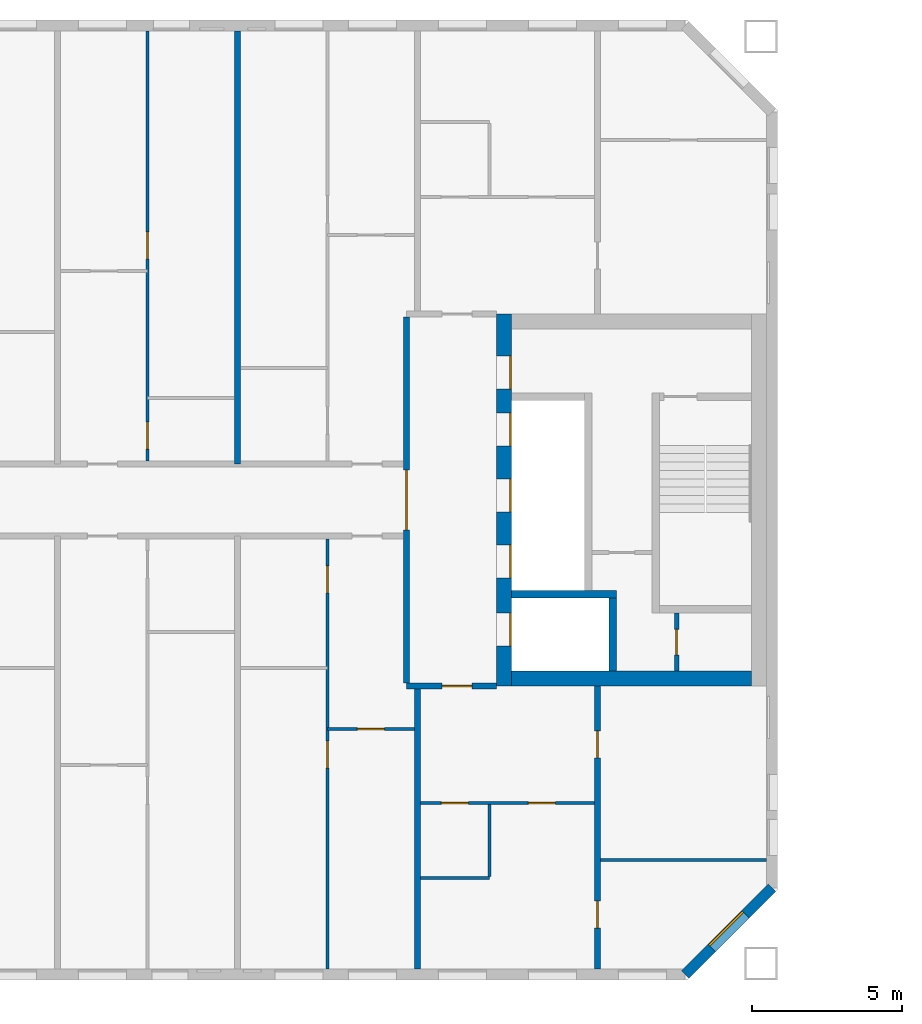
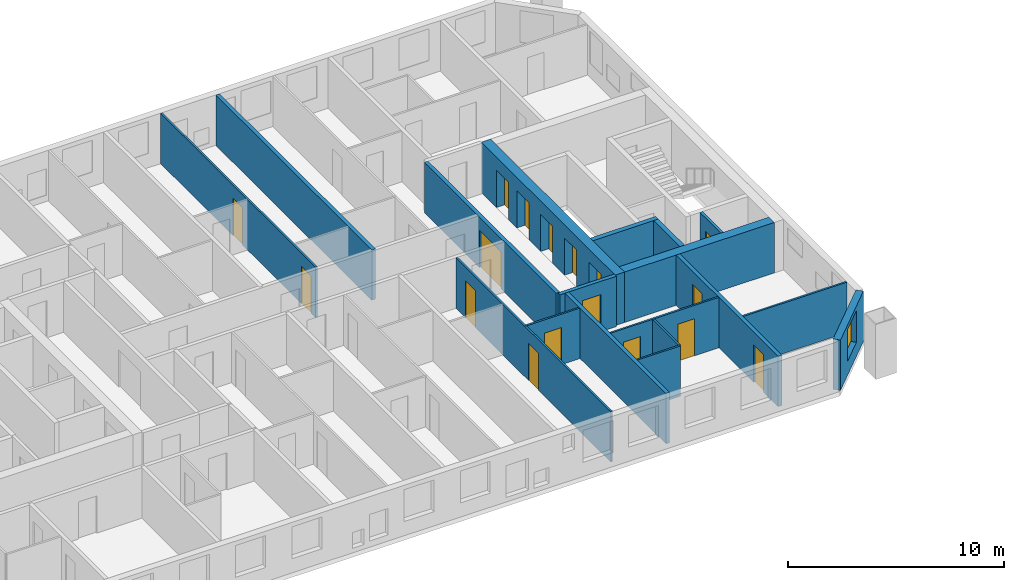
# One storey, part 6 of 15: 18 walls, 17 doors, 1 window, 18 openings.
"""IFC4 building model written with IfcOpenShell, lengths in metres."""

from ifc_helpers import new_model, si_unit, direction, frame, frame_2d, origin, place, context, subcontext, project, spatial, rectangle, extrude, material, layer, layer_set, type_object, element, fill, save


model = new_model("IFC4")

# Units and contexts
model_context = context("Model", 3, precision=1e-05, world=origin(), true_north=direction((0.0, 1.0)))
body_context = subcontext(model_context, "Body", "Model", "MODEL_VIEW")
ifc_project = project(units=[si_unit("LENGTHUNIT", "METRE"), si_unit("AREAUNIT", "SQUARE_METRE"), si_unit("VOLUMEUNIT", "CUBIC_METRE"), si_unit("PLANEANGLEUNIT", "RADIAN"), si_unit("MASSUNIT", "GRAM", prefix="KILO")], contexts=[model_context])

# Site, building, storey
site_placement = place(None, origin())
site = spatial("IfcSite", under=ifc_project, at=site_placement, CompositionType="ELEMENT")
building_placement = place(site_placement, origin())
building = spatial("IfcBuilding", under=site, at=building_placement, Name="Tuart Gate Housing", CompositionType="ELEMENT")
storey_placement = place(building_placement, frame((0.0, 0.0, 160.89990234375)))
storey = spatial("IfcBuildingStorey", under=building, at=storey_placement, Name="L45", CompositionType="ELEMENT", Elevation=160.89990234375)

# Wall, opening, window
ifc_material_1 = material(Name="Brick", Category="masonry")
ifc_layer_1 = layer(ifc_material_1, 0.360107421875)
ifc_layer_set_1 = layer_set([ifc_layer_1], Name="Brick pier and spandrel wall 360")
wall_type_1 = type_object("IfcWallType", Name="Brick pier and spandrel wall 360", PredefinedType="STANDARD", material=ifc_layer_set_1)
wall_1_placement = place(storey_placement, frame((72.92529296875, 54.179931640625, 0.0), z_axis=(0.0, 0.0, 1.0), x_axis=(0.707106781187, 0.707106781187, 0.0)))
wall_1 = element("IfcWall", 1, at=wall_1_placement, inside=storey, type_object=wall_type_1, Name="External wall A-SE L45", PredefinedType="STANDARD", context=body_context, shape_type="SweptSolid", body=[
    extrude(rectangle(XDim=4.09375, YDim=0.360107421875, at=frame_2d((2.046875, 0.0))), origin(), (0.0, 0.0, 1.0), 2.85009765625),
])
opening_1_placement = place(wall_1_placement, frame((1.2470703125, 0.0, 0.800048828125)))
opening_1 = element("IfcOpeningElement", 2, at=opening_1_placement, cuts=wall_1, Name="Opening W1", PredefinedType="OPENING", context=body_context, shape_type="SweptSolid", body=[
    extrude(rectangle(XDim=1.60009765625, YDim=1.800048828125, at=frame_2d((0.800048828125, 0.89990234375))), frame((0.0, 0.18994140625, 0.0), z_axis=(0.0, -1.0, 0.0), x_axis=(1.0, 0.0, 0.0)), (0.0, 0.0, 1.0), 0.380126953125),
])
ifc_material_2 = material(Name="Aluminium frame with clear glass", Category="aluminium")
window_type = type_object("IfcWindowType", Name="Punched window 1600 x 1800", PartitioningType="SINGLE_PANEL", PredefinedType="WINDOW", material=ifc_material_2)
window_placement = place(opening_1_placement, origin())
window = element("IfcWindow", 3, at=window_placement, inside=storey, type_object=window_type, Name="Window W1", OverallHeight=1.800048828125, OverallWidth=1.60009765625, PartitioningType="SINGLE_PANEL", PredefinedType="WINDOW", context=body_context, shape_type="SweptSolid", body=[
    extrude(rectangle(XDim=1.60009765625, YDim=1.800048828125, at=frame_2d((0.800048828125, 0.89990234375))), frame((0.0, 0.150146484375, 0.0), z_axis=(0.0, -1.0, 0.0), x_axis=(1.0, 0.0, 0.0)), (0.0, 0.0, 1.0), 0.06005859375),
])
fill(opening_1, window)

# Wall, opening, door
ifc_material_3 = material(Name="Plasterboard partition")
ifc_layer_2 = layer(ifc_material_3, 0.14990234375)
ifc_layer_set_2 = layer_set([ifc_layer_2], Name="Core partition 150")
wall_type_2 = type_object("IfcWallType", Name="Core partition 150", PredefinedType="PARTITIONING", material=ifc_layer_set_2)
wall_2_placement = place(storey_placement, frame((72.639892578125, 64.300048828125, 0.0), z_axis=(0.0, 0.0, 1.0), x_axis=(0.0, 1.0, 0.0)))
wall_2 = element("IfcWall", 4, at=wall_2_placement, inside=storey, type_object=wall_type_2, Name="Core partition AG.9", PredefinedType="PARTITIONING", context=body_context, shape_type="SweptSolid", body=[
    extrude(rectangle(XDim=1.925048828125, YDim=0.14990234375, at=frame_2d((0.96240234375, 0.0))), origin(), (0.0, 0.0, 1.0), 2.85009765625),
])
opening_2_placement = place(wall_2_placement, frame((0.53759765625, 0.0, 0.0)))
opening_2 = element("IfcOpeningElement", 5, at=opening_2_placement, cuts=wall_2, Name="Opening D1660", PredefinedType="OPENING", context=body_context, shape_type="SweptSolid", body=[
    extrude(rectangle(XDim=0.85009765625, YDim=2.10009765625, at=frame_2d((0.425048828125, 1.050048828125))), frame((0.0, 0.0849609375, 0.0), z_axis=(0.0, -1.0, 0.0), x_axis=(1.0, 0.0, 0.0)), (0.0, 0.0, 1.0), 0.169921875),
])
ifc_material_4 = material(Name="Steel fire door", Category="steel")
door_type_1 = type_object("IfcDoorType", Name="Service door 850 x 2100", OperationType="SINGLE_SWING_LEFT", PredefinedType="DOOR", material=ifc_material_4)
door_1_placement = place(opening_2_placement, origin())
door_1 = element("IfcDoor", 6, at=door_1_placement, inside=storey, type_object=door_type_1, Name="Service room door AG.E2", OperationType="SINGLE_SWING_LEFT", OverallHeight=2.10009765625, OverallWidth=0.85009765625, PredefinedType="DOOR", context=body_context, shape_type="SweptSolid", body=[
    extrude(rectangle(XDim=0.85009765625, YDim=2.10009765625, at=frame_2d((0.425048828125, 1.050048828125))), frame((0.0, 0.02490234375, 0.0), z_axis=(0.0, -1.0, 0.0), x_axis=(1.0, 0.0, 0.0)), (0.0, 0.0, 1.0), 0.050048828125),
])
fill(opening_2, door_1)

# Walls
ifc_material_5 = material(Name="Concrete C40", Category="concrete")
ifc_layer_3 = layer(ifc_material_5, 0.25)
ifc_layer_set_3 = layer_set([ifc_layer_3], Name="Core wall 250 C40")
wall_type_3 = type_object("IfcWallType", Name="Core wall 250 C40", PredefinedType="SHEAR", material=ifc_layer_set_3)
wall_3_placement = place(storey_placement, frame((67.139892578125, 66.85009765625, 0.0), z_axis=(0.0, 0.0, 1.0), x_axis=(1.0, 0.0, 0.0)))
element("IfcWall", 7, at=wall_3_placement, inside=storey, type_object=wall_type_3, Name="Core wall AG.2", PredefinedType="SHEAR", context=body_context, shape_type="SweptSolid", body=[
    extrude(rectangle(XDim=3.4951171875, YDim=0.25, at=frame_2d((1.74755859375, 0.0))), origin(), (0.0, 0.0, 1.0), 2.85009765625),
])
wall_4_placement = place(storey_placement, frame((70.510009765625, 64.300048828125, 0.0), z_axis=(0.0, 0.0, 1.0), x_axis=(0.0, 1.0, 0.0)))
element("IfcWall", 8, at=wall_4_placement, inside=storey, type_object=wall_type_3, Name="Core wall AG.7", PredefinedType="SHEAR", context=body_context, shape_type="SweptSolid", body=[
    extrude(rectangle(XDim=2.425048828125, YDim=0.25, at=frame_2d((1.21240234375, 0.0))), origin(), (0.0, 0.0, 1.0), 2.85009765625),
])

# Wall, openings, doors
ifc_material_6 = material(Name="Concrete C40", Category="concrete")
ifc_layer_4 = layer(ifc_material_6, 0.5)
ifc_layer_set_4 = layer_set([ifc_layer_4], Name="Core wall 500 C40")
wall_type_4 = type_object("IfcWallType", Name="Core wall 500 C40", PredefinedType="SHEAR", material=ifc_layer_set_4)
wall_5_placement = place(storey_placement, frame((66.889892578125, 63.800048828125, 0.0), z_axis=(0.0, 0.0, 1.0), x_axis=(0.0, 1.0, 0.0)))
wall_5 = element("IfcWall", 9, at=wall_5_placement, inside=storey, type_object=wall_type_4, Name="Core wall AG front", PredefinedType="SHEAR", context=body_context, shape_type="SweptSolid", body=[
    extrude(rectangle(XDim=12.39990234375, YDim=0.5, at=frame_2d((6.199951171875, 0.0))), origin(), (0.0, 0.0, 1.0), 2.85009765625),
])
opening_3_placement = place(wall_5_placement, frame((1.324951171875, 0.0, 0.0)))
opening_3 = element("IfcOpeningElement", 10, at=opening_3_placement, cuts=wall_5, Name="Opening LD-FA1", PredefinedType="OPENING", context=body_context, shape_type="SweptSolid", body=[
    extrude(rectangle(XDim=1.10009765625, YDim=2.10009765625, at=frame_2d((0.550048828125, 1.050048828125))), frame((0.0, 0.260009765625, 0.0), z_axis=(0.0, -1.0, 0.0), x_axis=(1.0, 0.0, 0.0)), (0.0, 0.0, 1.0), 0.52001953125),
])
opening_4_placement = place(wall_5_placement, frame((3.60009765625, 0.0, 0.0)))
opening_4 = element("IfcOpeningElement", 11, at=opening_4_placement, cuts=wall_5, Name="Opening LD-LA1", PredefinedType="OPENING", context=body_context, shape_type="SweptSolid", body=[
    extrude(rectangle(XDim=1.10009765625, YDim=2.10009765625, at=frame_2d((0.550048828125, 1.050048828125))), frame((0.0, 0.260009765625, 0.0), z_axis=(0.0, -1.0, 0.0), x_axis=(1.0, 0.0, 0.0)), (0.0, 0.0, 1.0), 0.52001953125),
])
opening_5_placement = place(wall_5_placement, frame((5.800048828125, 0.0, 0.0)))
opening_5 = element("IfcOpeningElement", 12, at=opening_5_placement, cuts=wall_5, Name="Opening LD-LA2", PredefinedType="OPENING", context=body_context, shape_type="SweptSolid", body=[
    extrude(rectangle(XDim=1.10009765625, YDim=2.10009765625, at=frame_2d((0.550048828125, 1.050048828125))), frame((0.0, 0.260009765625, 0.0), z_axis=(0.0, -1.0, 0.0), x_axis=(1.0, 0.0, 0.0)), (0.0, 0.0, 1.0), 0.52001953125),
])
opening_6_placement = place(wall_5_placement, frame((8.0, 0.0, 0.0)))
opening_6 = element("IfcOpeningElement", 13, at=opening_6_placement, cuts=wall_5, Name="Opening LD-LA3", PredefinedType="OPENING", context=body_context, shape_type="SweptSolid", body=[
    extrude(rectangle(XDim=1.10009765625, YDim=2.10009765625, at=frame_2d((0.550048828125, 1.050048828125))), frame((0.0, 0.260009765625, 0.0), z_axis=(0.0, -1.0, 0.0), x_axis=(1.0, 0.0, 0.0)), (0.0, 0.0, 1.0), 0.52001953125),
])
opening_7_placement = place(wall_5_placement, frame((9.89990234375, 0.0, 0.0)))
opening_7 = element("IfcOpeningElement", 14, at=opening_7_placement, cuts=wall_5, Name="Opening D1654", PredefinedType="OPENING", context=body_context, shape_type="SweptSolid", body=[
    extrude(rectangle(XDim=1.10009765625, YDim=2.10009765625, at=frame_2d((0.550048828125, 1.050048828125))), frame((0.0, 0.260009765625, 0.0), z_axis=(0.0, -1.0, 0.0), x_axis=(1.0, 0.0, 0.0)), (0.0, 0.0, 1.0), 0.52001953125),
])
ifc_material_7 = material(Name="Stainless steel", Category="steel")
door_type_2 = type_object("IfcDoorType", Name="Landing door 1100 x 2100", OperationType="DOUBLE_DOOR_SLIDING", PredefinedType="DOOR", material=ifc_material_7)
door_2_placement = place(opening_3_placement, origin())
door_2 = element("IfcDoor", 15, at=door_2_placement, inside=storey, type_object=door_type_2, Name="Lift landing door FA1", OperationType="DOUBLE_DOOR_SLIDING", OverallHeight=2.10009765625, OverallWidth=1.10009765625, PredefinedType="DOOR", context=body_context, shape_type="SweptSolid", body=[
    extrude(rectangle(XDim=1.10009765625, YDim=2.10009765625, at=frame_2d((0.550048828125, 1.050048828125))), frame((0.0, -0.18505859375, 0.0), z_axis=(0.0, -1.0, 0.0), x_axis=(1.0, 0.0, 0.0)), (0.0, 0.0, 1.0), 0.050048828125),
])
fill(opening_3, door_2)
door_3_placement = place(opening_4_placement, origin())
door_3 = element("IfcDoor", 16, at=door_3_placement, inside=storey, type_object=door_type_2, Name="Lift landing door LA1", OperationType="DOUBLE_DOOR_SLIDING", OverallHeight=2.10009765625, OverallWidth=1.10009765625, PredefinedType="DOOR", context=body_context, shape_type="SweptSolid", body=[
    extrude(rectangle(XDim=1.10009765625, YDim=2.10009765625, at=frame_2d((0.550048828125, 1.050048828125))), frame((0.0, -0.18505859375, 0.0), z_axis=(0.0, -1.0, 0.0), x_axis=(1.0, 0.0, 0.0)), (0.0, 0.0, 1.0), 0.050048828125),
])
fill(opening_4, door_3)
door_4_placement = place(opening_5_placement, origin())
door_4 = element("IfcDoor", 17, at=door_4_placement, inside=storey, type_object=door_type_2, Name="Lift landing door LA2", OperationType="DOUBLE_DOOR_SLIDING", OverallHeight=2.10009765625, OverallWidth=1.10009765625, PredefinedType="DOOR", context=body_context, shape_type="SweptSolid", body=[
    extrude(rectangle(XDim=1.10009765625, YDim=2.10009765625, at=frame_2d((0.550048828125, 1.050048828125))), frame((0.0, -0.18505859375, 0.0), z_axis=(0.0, -1.0, 0.0), x_axis=(1.0, 0.0, 0.0)), (0.0, 0.0, 1.0), 0.050048828125),
])
fill(opening_5, door_4)
door_5_placement = place(opening_6_placement, origin())
door_5 = element("IfcDoor", 18, at=door_5_placement, inside=storey, type_object=door_type_2, Name="Lift landing door LA3", OperationType="DOUBLE_DOOR_SLIDING", OverallHeight=2.10009765625, OverallWidth=1.10009765625, PredefinedType="DOOR", context=body_context, shape_type="SweptSolid", body=[
    extrude(rectangle(XDim=1.10009765625, YDim=2.10009765625, at=frame_2d((0.550048828125, 1.050048828125))), frame((0.0, -0.18505859375, 0.0), z_axis=(0.0, -1.0, 0.0), x_axis=(1.0, 0.0, 0.0)), (0.0, 0.0, 1.0), 0.050048828125),
])
fill(opening_6, door_5)
ifc_material_8 = material(Name="Steel fire door", Category="steel")
door_type_3 = type_object("IfcDoorType", Name="Lobby door 1100 x 2100 RH", OperationType="SINGLE_SWING_RIGHT", PredefinedType="DOOR", material=ifc_material_8)
door_6_placement = place(opening_7_placement, frame((1.10009765625, 0.0, 0.0), z_axis=(0.0, 0.0, 1.0), x_axis=(-1.0, 0.0, 0.0)))
door_6 = element("IfcDoor", 19, at=door_6_placement, inside=storey, type_object=door_type_3, Name="Lobby entry door AG.EN", OperationType="SINGLE_SWING_RIGHT", OverallHeight=2.10009765625, OverallWidth=1.10009765625, PredefinedType="DOOR", context=body_context, shape_type="SweptSolid", body=[
    extrude(rectangle(XDim=1.10009765625, YDim=2.10009765625, at=frame_2d((0.550048828125, 1.050048828125))), frame((0.0, 0.235107421875, 0.0), z_axis=(0.0, -1.0, 0.0), x_axis=(1.0, 0.0, 0.0)), (0.0, 0.0, 1.0), 0.050048828125),
])
fill(opening_7, door_6)

# Wall
wall_6_placement = place(storey_placement, frame((67.139892578125, 64.050048828125, 0.0), z_axis=(0.0, 0.0, 1.0), x_axis=(1.0, 0.0, 0.0)))
element("IfcWall", 20, at=wall_6_placement, inside=storey, type_object=wall_type_4, Name="Core wall AG south", PredefinedType="SHEAR", context=body_context, shape_type="SweptSolid", body=[
    extrude(rectangle(XDim=8.0, YDim=0.5, at=frame_2d((4.0, 0.0))), origin(), (0.0, 0.0, 1.0), 2.85009765625),
])

# Wall, opening, door
ifc_material_9 = material(Name="Concrete masonry 15 MPa", Category="masonry")
ifc_layer_5 = layer(ifc_material_9, 0.199951171875)
ifc_layer_set_5 = layer_set([ifc_layer_5], Name="Enclosure wall masonry 200")
wall_type_5 = type_object("IfcWallType", Name="Enclosure wall masonry 200", PredefinedType="PARTITIONING", material=ifc_layer_set_5)
wall_7_placement = place(storey_placement, frame((63.639892578125, 63.800048828125, 0.0), z_axis=(0.0, 0.0, 1.0), x_axis=(1.0, 0.0, 0.0)))
wall_7 = element("IfcWall", 21, at=wall_7_placement, inside=storey, type_object=wall_type_5, Name="Enclosure wall masonry 200", PredefinedType="PARTITIONING", context=body_context, shape_type="SweptSolid", body=[
    extrude(rectangle(XDim=3.0, YDim=0.199951171875, at=frame_2d((1.5, 0.0))), origin(), (0.0, 0.0, 1.0), 2.85009765625),
])
opening_8_placement = place(wall_7_placement, frame((1.179931640625, 0.0, 0.0)))
opening_8 = element("IfcOpeningElement", 22, at=opening_8_placement, cuts=wall_7, Name="Opening D1662", PredefinedType="OPENING", context=body_context, shape_type="SweptSolid", body=[
    extrude(rectangle(XDim=1.0, YDim=2.10009765625, at=frame_2d((0.5, 1.050048828125))), frame((0.0, 0.10986328125, 0.0), z_axis=(0.0, -1.0, 0.0), x_axis=(1.0, 0.0, 0.0)), (0.0, 0.0, 1.0), 0.219970703125),
])
ifc_material_10 = material(Name="Timber door leaf in steel frame", Category="steel")
door_type_4 = type_object("IfcDoorType", Name="Flat entrance door 1000 RH", OperationType="SINGLE_SWING_RIGHT", PredefinedType="DOOR", material=ifc_material_10)
door_7_placement = place(opening_8_placement, frame((1.0, 0.0, 0.0), z_axis=(0.0, 0.0, 1.0), x_axis=(-1.0, 0.0, 0.0)))
door_7 = element("IfcDoor", 23, at=door_7_placement, inside=storey, type_object=door_type_4, Name="Flat entrance door", OperationType="SINGLE_SWING_RIGHT", OverallHeight=2.10009765625, OverallWidth=1.0, PredefinedType="DOOR", context=body_context, shape_type="SweptSolid", body=[
    extrude(rectangle(XDim=1.0, YDim=2.10009765625, at=frame_2d((0.5, 1.050048828125))), frame((0.0, 0.025146484375, 0.0), z_axis=(0.0, -1.0, 0.0), x_axis=(1.0, 0.0, 0.0)), (0.0, 0.0, 1.0), 0.050048828125),
])
fill(opening_8, door_7)

ifc_material_11 = material(Name="Plasterboard partition")
ifc_layer_6 = layer(ifc_material_11, 0.199951171875)
ifc_layer_set_6 = layer_set([ifc_layer_6], Name="Lobby wall 200")
wall_type_6 = type_object("IfcWallType", Name="Lobby wall 200", PredefinedType="PARTITIONING", material=ifc_layer_set_6)
wall_8_placement = place(storey_placement, frame((63.639892578125, 63.89990234375, 0.0), z_axis=(0.0, 0.0, 1.0), x_axis=(0.0, 1.0, 0.0)))
wall_8 = element("IfcWall", 24, at=wall_8_placement, inside=storey, type_object=wall_type_6, Name="Lift lobby wall AG", PredefinedType="PARTITIONING", context=body_context, shape_type="SweptSolid", body=[
    extrude(rectangle(XDim=12.2001953125, YDim=0.199951171875, at=frame_2d((6.10009765625, 0.0))), origin(), (0.0, 0.0, 1.0), 2.85009765625),
])
opening_9_placement = place(wall_8_placement, frame((5.10009765625, 0.0, 0.0)))
opening_9 = element("IfcOpeningElement", 25, at=opening_9_placement, cuts=wall_8, Name="Opening D1653", PredefinedType="OPENING", context=body_context, shape_type="SweptSolid", body=[
    extrude(rectangle(XDim=2.0, YDim=2.10009765625, at=frame_2d((1.0, 1.050048828125))), frame((0.0, 0.10986328125, 0.0), z_axis=(0.0, -1.0, 0.0), x_axis=(1.0, 0.0, 0.0)), (0.0, 0.0, 1.0), 0.219970703125),
])
ifc_material_12 = material(Name="Steel fire door", Category="steel")
door_type_5 = type_object("IfcDoorType", Name="Smoke door 2000 x 2100", OperationType="DOUBLE_DOOR_SINGLE_SWING", PredefinedType="DOOR", material=ifc_material_12)
door_8_placement = place(opening_9_placement, frame((2.0, 0.0, 0.0), z_axis=(0.0, 0.0, 1.0), x_axis=(-1.0, 0.0, 0.0)))
door_8 = element("IfcDoor", 26, at=door_8_placement, inside=storey, type_object=door_type_5, Name="Lift lobby smoke door AG", OperationType="DOUBLE_DOOR_SINGLE_SWING", OverallHeight=2.10009765625, OverallWidth=2.0, PredefinedType="DOOR", context=body_context, shape_type="SweptSolid", body=[
    extrude(rectangle(XDim=2.0, YDim=2.10009765625, at=frame_2d((1.0, 1.050048828125))), frame((0.0, 0.025146484375, 0.0), z_axis=(0.0, -1.0, 0.0), x_axis=(1.0, 0.0, 0.0)), (0.0, 0.0, 1.0), 0.050048828125),
])
fill(opening_9, door_8)

# Walls
ifc_material_13 = material(Name="Gypsum board on steel studs", Category="steel")
ifc_layer_7 = layer(ifc_material_13, 0.10009765625)
ifc_layer_set_7 = layer_set([ifc_layer_7], Name="Partition 100")
wall_type_7 = type_object("IfcWallType", Name="Partition 100", PredefinedType="PARTITIONING", material=ifc_layer_set_7)
wall_9_placement = place(storey_placement, frame((64.10009765625, 57.39990234375, 0.0), z_axis=(0.0, 0.0, 1.0), x_axis=(1.0, 0.0, 0.0)))
element("IfcWall", 27, at=wall_9_placement, inside=storey, type_object=wall_type_7, Name="Partition 100", PredefinedType="PARTITIONING", context=body_context, shape_type="SweptSolid", body=[
    extrude(rectangle(XDim=2.2998046875, YDim=0.10009765625, at=frame_2d((1.14990234375, 0.0))), origin(), (0.0, 0.0, 1.0), 2.85009765625),
])
wall_10_placement = place(storey_placement, frame((70.10009765625, 58.0, 0.0), z_axis=(0.0, 0.0, 1.0), x_axis=(1.0, 0.0, 0.0)))
element("IfcWall", 28, at=wall_10_placement, inside=storey, type_object=wall_type_7, Name="Partition 100", PredefinedType="PARTITIONING", context=body_context, shape_type="SweptSolid", body=[
    extrude(rectangle(XDim=5.539794921875, YDim=0.10009765625, at=frame_2d((2.77001953125, 0.0))), origin(), (0.0, 0.0, 1.0), 2.85009765625),
])

# Wall, openings, doors
wall_11_placement = place(storey_placement, frame((64.10009765625, 59.89990234375, 0.0), z_axis=(0.0, 0.0, 1.0), x_axis=(1.0, 0.0, 0.0)))
wall_11 = element("IfcWall", 29, at=wall_11_placement, inside=storey, type_object=wall_type_7, Name="Partition 100", PredefinedType="PARTITIONING", context=body_context, shape_type="SweptSolid", body=[
    extrude(rectangle(XDim=5.7998046875, YDim=0.10009765625, at=frame_2d((2.89990234375, 0.0))), origin(), (0.0, 0.0, 1.0), 2.85009765625),
])
opening_10_placement = place(wall_11_placement, frame((3.60009765625, 0.0, 0.0)))
opening_10 = element("IfcOpeningElement", 30, at=opening_10_placement, cuts=wall_11, Name="Opening D1675", PredefinedType="OPENING", context=body_context, shape_type="SweptSolid", body=[
    extrude(rectangle(XDim=0.89990234375, YDim=2.10009765625, at=frame_2d((0.449951171875, 1.050048828125))), frame((0.0, 0.06005859375, 0.0), z_axis=(0.0, -1.0, 0.0), x_axis=(1.0, 0.0, 0.0)), (0.0, 0.0, 1.0), 0.1201171875),
])
opening_11_placement = place(wall_11_placement, frame((0.699951171875, 0.0, 0.0)))
opening_11 = element("IfcOpeningElement", 31, at=opening_11_placement, cuts=wall_11, Name="Opening D1674", PredefinedType="OPENING", context=body_context, shape_type="SweptSolid", body=[
    extrude(rectangle(XDim=0.89990234375, YDim=2.10009765625, at=frame_2d((0.449951171875, 1.050048828125))), frame((0.0, 0.06005859375, 0.0), z_axis=(0.0, -1.0, 0.0), x_axis=(1.0, 0.0, 0.0)), (0.0, 0.0, 1.0), 0.1201171875),
])
ifc_material_14 = material(Name="Timber door leaf in steel frame", Category="steel")
door_type_6 = type_object("IfcDoorType", Name="Bathroom door 900", OperationType="SINGLE_SWING_LEFT", PredefinedType="DOOR", material=ifc_material_14)
door_9_placement = place(opening_11_placement, frame((0.89990234375, 0.0, 0.0), z_axis=(0.0, 0.0, 1.0), x_axis=(-1.0, 0.0, 0.0)))
door_9 = element("IfcDoor", 32, at=door_9_placement, inside=storey, type_object=door_type_6, Name="Bathroom door", OperationType="SINGLE_SWING_LEFT", OverallHeight=2.10009765625, OverallWidth=0.89990234375, PredefinedType="DOOR", context=body_context, shape_type="SweptSolid", body=[
    extrude(rectangle(XDim=0.89990234375, YDim=2.10009765625, at=frame_2d((0.449951171875, 1.050048828125))), frame((0.0, 0.025146484375, 0.0), z_axis=(0.0, -1.0, 0.0), x_axis=(1.0, 0.0, 0.0)), (0.0, 0.0, 1.0), 0.050048828125),
])
fill(opening_11, door_9)
ifc_material_15 = material(Name="Timber door leaf in steel frame", Category="steel")
door_type_7 = type_object("IfcDoorType", Name="Internal door 900 RH", OperationType="SINGLE_SWING_RIGHT", PredefinedType="DOOR", material=ifc_material_15)
door_10_placement = place(opening_10_placement, origin())
door_10 = element("IfcDoor", 33, at=door_10_placement, inside=storey, type_object=door_type_7, Name="Internal door", OperationType="SINGLE_SWING_RIGHT", OverallHeight=2.10009765625, OverallWidth=0.89990234375, PredefinedType="DOOR", context=body_context, shape_type="SweptSolid", body=[
    extrude(rectangle(XDim=0.89990234375, YDim=2.10009765625, at=frame_2d((0.449951171875, 1.050048828125))), frame((0.0, 0.02490234375, 0.0), z_axis=(0.0, -1.0, 0.0), x_axis=(1.0, 0.0, 0.0)), (0.0, 0.0, 1.0), 0.050048828125),
])
fill(opening_10, door_10)

# Wall, opening, door
wall_12_placement = place(storey_placement, frame((61.0, 62.360107421875, 0.0), z_axis=(0.0, 0.0, 1.0), x_axis=(1.0, 0.0, 0.0)))
wall_12 = element("IfcWall", 34, at=wall_12_placement, inside=storey, type_object=wall_type_7, Name="Partition 100", PredefinedType="PARTITIONING", context=body_context, shape_type="SweptSolid", body=[
    extrude(rectangle(XDim=2.89990234375, YDim=0.10009765625, at=frame_2d((1.449951171875, 0.0))), origin(), (0.0, 0.0, 1.0), 2.85009765625),
])
opening_12_placement = place(wall_12_placement, frame((1.0, 0.0, 0.0)))
opening_12 = element("IfcOpeningElement", 35, at=opening_12_placement, cuts=wall_12, Name="Opening D1663", PredefinedType="OPENING", context=body_context, shape_type="SweptSolid", body=[
    extrude(rectangle(XDim=0.89990234375, YDim=2.10009765625, at=frame_2d((0.449951171875, 1.050048828125))), frame((0.0, 0.06005859375, 0.0), z_axis=(0.0, -1.0, 0.0), x_axis=(1.0, 0.0, 0.0)), (0.0, 0.0, 1.0), 0.1201171875),
])
ifc_material_16 = material(Name="Timber door leaf in steel frame", Category="steel")
door_type_8 = type_object("IfcDoorType", Name="Internal door 900", OperationType="SINGLE_SWING_LEFT", PredefinedType="DOOR", material=ifc_material_16)
door_11_placement = place(opening_12_placement, origin())
door_11 = element("IfcDoor", 36, at=door_11_placement, inside=storey, type_object=door_type_8, Name="Internal door", OperationType="SINGLE_SWING_LEFT", OverallHeight=2.10009765625, OverallWidth=0.89990234375, PredefinedType="DOOR", context=body_context, shape_type="SweptSolid", body=[
    extrude(rectangle(XDim=0.89990234375, YDim=2.10009765625, at=frame_2d((0.449951171875, 1.050048828125))), frame((0.0, 0.02490234375, 0.0), z_axis=(0.0, -1.0, 0.0), x_axis=(1.0, 0.0, 0.0)), (0.0, 0.0, 1.0), 0.050048828125),
])
fill(opening_12, door_11)

# Wall, openings, doors
wall_13_placement = place(storey_placement, frame((55.0, 71.300048828125, 0.0), z_axis=(0.0, 0.0, 1.0), x_axis=(0.0, 1.0, 0.0)))
wall_13 = element("IfcWall", 37, at=wall_13_placement, inside=storey, type_object=wall_type_7, Name="Partition 100", PredefinedType="PARTITIONING", context=body_context, shape_type="SweptSolid", body=[
    extrude(rectangle(XDim=14.33984375, YDim=0.10009765625, at=frame_2d((7.169921875, 0.0))), origin(), (0.0, 0.0, 1.0), 2.85009765625),
])
opening_13_placement = place(wall_13_placement, frame((6.739990234375, 0.0, 0.0)))
opening_13 = element("IfcOpeningElement", 38, at=opening_13_placement, cuts=wall_13, Name="Opening D1637", PredefinedType="OPENING", context=body_context, shape_type="SweptSolid", body=[
    extrude(rectangle(XDim=0.89990234375, YDim=2.10009765625, at=frame_2d((0.449951171875, 1.050048828125))), frame((0.0, 0.06005859375, 0.0), z_axis=(0.0, -1.0, 0.0), x_axis=(1.0, 0.0, 0.0)), (0.0, 0.0, 1.0), 0.1201171875),
])
opening_14_placement = place(wall_13_placement, frame((0.39990234375, 0.0, 0.0)))
opening_14 = element("IfcOpeningElement", 39, at=opening_14_placement, cuts=wall_13, Name="Opening D1636", PredefinedType="OPENING", context=body_context, shape_type="SweptSolid", body=[
    extrude(rectangle(XDim=0.89990234375, YDim=2.10009765625, at=frame_2d((0.449951171875, 1.050048828125))), frame((0.0, 0.06005859375, 0.0), z_axis=(0.0, -1.0, 0.0), x_axis=(1.0, 0.0, 0.0)), (0.0, 0.0, 1.0), 0.1201171875),
])
ifc_material_17 = material(Name="Timber door leaf in steel frame", Category="steel")
door_type_9 = type_object("IfcDoorType", Name="Bathroom door 900 RH", OperationType="SINGLE_SWING_RIGHT", PredefinedType="DOOR", material=ifc_material_17)
door_12_placement = place(opening_14_placement, frame((0.89990234375, 0.0, 0.0), z_axis=(0.0, 0.0, 1.0), x_axis=(-1.0, 0.0, 0.0)))
door_12 = element("IfcDoor", 40, at=door_12_placement, inside=storey, type_object=door_type_9, Name="Bathroom door", OperationType="SINGLE_SWING_RIGHT", OverallHeight=2.10009765625, OverallWidth=0.89990234375, PredefinedType="DOOR", context=body_context, shape_type="SweptSolid", body=[
    extrude(rectangle(XDim=0.89990234375, YDim=2.10009765625, at=frame_2d((0.449951171875, 1.050048828125))), frame((0.0, 0.025146484375, 0.0), z_axis=(0.0, -1.0, 0.0), x_axis=(1.0, 0.0, 0.0)), (0.0, 0.0, 1.0), 0.050048828125),
])
fill(opening_14, door_12)
door_13_placement = place(opening_13_placement, frame((0.89990234375, 0.0, 0.0), z_axis=(0.0, 0.0, 1.0), x_axis=(-1.0, 0.0, 0.0)))
door_13 = element("IfcDoor", 41, at=door_13_placement, inside=storey, type_object=door_type_7, Name="Internal door", OperationType="SINGLE_SWING_RIGHT", OverallHeight=2.10009765625, OverallWidth=0.89990234375, PredefinedType="DOOR", context=body_context, shape_type="SweptSolid", body=[
    extrude(rectangle(XDim=0.89990234375, YDim=2.10009765625, at=frame_2d((0.449951171875, 1.050048828125))), frame((0.0, 0.025146484375, 0.0), z_axis=(0.0, -1.0, 0.0), x_axis=(1.0, 0.0, 0.0)), (0.0, 0.0, 1.0), 0.050048828125),
])
fill(opening_13, door_13)

wall_14_placement = place(storey_placement, frame((61.0, 54.360107421875, 0.0), z_axis=(0.0, 0.0, 1.0), x_axis=(0.0, 1.0, 0.0)))
wall_14 = element("IfcWall", 42, at=wall_14_placement, inside=storey, type_object=wall_type_7, Name="Partition 100", PredefinedType="PARTITIONING", context=body_context, shape_type="SweptSolid", body=[
    extrude(rectangle(XDim=14.33984375, YDim=0.10009765625, at=frame_2d((7.169921875, 0.0))), origin(), (0.0, 0.0, 1.0), 2.85009765625),
])
opening_15_placement = place(wall_14_placement, frame((6.699951171875, 0.0, 0.0)))
opening_15 = element("IfcOpeningElement", 43, at=opening_15_placement, cuts=wall_14, Name="Opening D1669", PredefinedType="OPENING", context=body_context, shape_type="SweptSolid", body=[
    extrude(rectangle(XDim=0.89990234375, YDim=2.10009765625, at=frame_2d((0.449951171875, 1.050048828125))), frame((0.0, 0.06005859375, 0.0), z_axis=(0.0, -1.0, 0.0), x_axis=(1.0, 0.0, 0.0)), (0.0, 0.0, 1.0), 0.1201171875),
])
opening_16_placement = place(wall_14_placement, frame((12.5400390625, 0.0, 0.0)))
opening_16 = element("IfcOpeningElement", 44, at=opening_16_placement, cuts=wall_14, Name="Opening D1668", PredefinedType="OPENING", context=body_context, shape_type="SweptSolid", body=[
    extrude(rectangle(XDim=0.89990234375, YDim=2.10009765625, at=frame_2d((0.449951171875, 1.050048828125))), frame((0.0, 0.06005859375, 0.0), z_axis=(0.0, -1.0, 0.0), x_axis=(1.0, 0.0, 0.0)), (0.0, 0.0, 1.0), 0.1201171875),
])
door_14_placement = place(opening_16_placement, origin())
door_14 = element("IfcDoor", 45, at=door_14_placement, inside=storey, type_object=door_type_9, Name="Bathroom door", OperationType="SINGLE_SWING_RIGHT", OverallHeight=2.10009765625, OverallWidth=0.89990234375, PredefinedType="DOOR", context=body_context, shape_type="SweptSolid", body=[
    extrude(rectangle(XDim=0.89990234375, YDim=2.10009765625, at=frame_2d((0.449951171875, 1.050048828125))), frame((0.0, 0.02490234375, 0.0), z_axis=(0.0, -1.0, 0.0), x_axis=(1.0, 0.0, 0.0)), (0.0, 0.0, 1.0), 0.050048828125),
])
fill(opening_16, door_14)
door_15_placement = place(opening_15_placement, origin())
door_15 = element("IfcDoor", 46, at=door_15_placement, inside=storey, type_object=door_type_7, Name="Internal door", OperationType="SINGLE_SWING_RIGHT", OverallHeight=2.10009765625, OverallWidth=0.89990234375, PredefinedType="DOOR", context=body_context, shape_type="SweptSolid", body=[
    extrude(rectangle(XDim=0.89990234375, YDim=2.10009765625, at=frame_2d((0.449951171875, 1.050048828125))), frame((0.0, 0.02490234375, 0.0), z_axis=(0.0, -1.0, 0.0), x_axis=(1.0, 0.0, 0.0)), (0.0, 0.0, 1.0), 0.050048828125),
])
fill(opening_15, door_15)

# Walls
wall_15_placement = place(storey_placement, frame((66.39990234375, 57.449951171875, 0.0), z_axis=(0.0, 0.0, 1.0), x_axis=(0.0, 1.0, 0.0)))
element("IfcWall", 47, at=wall_15_placement, inside=storey, type_object=wall_type_7, Name="Partition 100", PredefinedType="PARTITIONING", context=body_context, shape_type="SweptSolid", body=[
    extrude(rectangle(XDim=2.400146484375, YDim=0.10009765625, at=frame_2d((1.2001953125, 0.0))), origin(), (0.0, 0.0, 1.0), 2.85009765625),
])
ifc_material_18 = material(Name="Concrete C40", Category="concrete")
ifc_layer_8 = layer(ifc_material_18, 0.199951171875)
ifc_layer_set_8 = layer_set([ifc_layer_8], Name="Party wall concrete C40 200")
wall_type_8 = type_object("IfcWallType", Name="Party wall concrete C40 200", PredefinedType="SOLIDWALL", material=ifc_layer_set_8)
wall_16_placement = place(storey_placement, frame((58.0, 71.199951171875, 0.0), z_axis=(0.0, 0.0, 1.0), x_axis=(0.0, 1.0, 0.0)))
element("IfcWall", 48, at=wall_16_placement, inside=storey, type_object=wall_type_8, Name="Party wall concrete C40 200", PredefinedType="SOLIDWALL", context=body_context, shape_type="SweptSolid", body=[
    extrude(rectangle(XDim=14.43994140625, YDim=0.199951171875, at=frame_2d((7.219970703125, 0.0))), origin(), (0.0, 0.0, 1.0), 2.85009765625),
])
wall_17_placement = place(storey_placement, frame((64.0, 54.360107421875, 0.0), z_axis=(0.0, 0.0, 1.0), x_axis=(0.0, 1.0, 0.0)))
element("IfcWall", 49, at=wall_17_placement, inside=storey, type_object=wall_type_8, Name="Party wall concrete C40 200", PredefinedType="SOLIDWALL", context=body_context, shape_type="SweptSolid", body=[
    extrude(rectangle(XDim=9.43994140625, YDim=0.199951171875, at=frame_2d((4.719970703125, 0.0))), origin(), (0.0, 0.0, 1.0), 2.85009765625),
])

# Wall, openings, doors
wall_18_placement = place(storey_placement, frame((70.0, 54.360107421875, 0.0), z_axis=(0.0, 0.0, 1.0), x_axis=(0.0, 1.0, 0.0)))
wall_18 = element("IfcWall", 50, at=wall_18_placement, inside=storey, type_object=wall_type_8, Name="Party wall concrete C40 200", PredefinedType="SOLIDWALL", context=body_context, shape_type="SweptSolid", body=[
    extrude(rectangle(XDim=9.43994140625, YDim=0.199951171875, at=frame_2d((4.719970703125, 0.0))), origin(), (0.0, 0.0, 1.0), 2.85009765625),
])
opening_17_placement = place(wall_18_placement, frame((1.3701171875, 0.0, 0.0)))
opening_17 = element("IfcOpeningElement", 51, at=opening_17_placement, cuts=wall_18, Name="Opening D1677", PredefinedType="OPENING", context=body_context, shape_type="SweptSolid", body=[
    extrude(rectangle(XDim=0.89990234375, YDim=2.10009765625, at=frame_2d((0.449951171875, 1.050048828125))), frame((0.0, 0.10986328125, 0.0), z_axis=(0.0, -1.0, 0.0), x_axis=(1.0, 0.0, 0.0)), (0.0, 0.0, 1.0), 0.219970703125),
])
opening_18_placement = place(wall_18_placement, frame((7.0400390625, 0.0, 0.0)))
opening_18 = element("IfcOpeningElement", 52, at=opening_18_placement, cuts=wall_18, Name="Opening D1678", PredefinedType="OPENING", context=body_context, shape_type="SweptSolid", body=[
    extrude(rectangle(XDim=0.89990234375, YDim=2.10009765625, at=frame_2d((0.449951171875, 1.050048828125))), frame((0.0, 0.10986328125, 0.0), z_axis=(0.0, -1.0, 0.0), x_axis=(1.0, 0.0, 0.0)), (0.0, 0.0, 1.0), 0.219970703125),
])
door_16_placement = place(opening_18_placement, frame((0.89990234375, 0.0, 0.0), z_axis=(0.0, 0.0, 1.0), x_axis=(-1.0, 0.0, 0.0)))
door_16 = element("IfcDoor", 53, at=door_16_placement, inside=storey, type_object=door_type_8, Name="Internal door", OperationType="SINGLE_SWING_LEFT", OverallHeight=2.10009765625, OverallWidth=0.89990234375, PredefinedType="DOOR", context=body_context, shape_type="SweptSolid", body=[
    extrude(rectangle(XDim=0.89990234375, YDim=2.10009765625, at=frame_2d((0.449951171875, 1.050048828125))), frame((0.0, 0.025146484375, 0.0), z_axis=(0.0, -1.0, 0.0), x_axis=(1.0, 0.0, 0.0)), (0.0, 0.0, 1.0), 0.050048828125),
])
fill(opening_18, door_16)
door_17_placement = place(opening_17_placement, frame((0.89990234375, 0.0, 0.0), z_axis=(0.0, 0.0, 1.0), x_axis=(-1.0, 0.0, 0.0)))
door_17 = element("IfcDoor", 54, at=door_17_placement, inside=storey, type_object=door_type_7, Name="Internal door", OperationType="SINGLE_SWING_RIGHT", OverallHeight=2.10009765625, OverallWidth=0.89990234375, PredefinedType="DOOR", context=body_context, shape_type="SweptSolid", body=[
    extrude(rectangle(XDim=0.89990234375, YDim=2.10009765625, at=frame_2d((0.449951171875, 1.050048828125))), frame((0.0, 0.025146484375, 0.0), z_axis=(0.0, -1.0, 0.0), x_axis=(1.0, 0.0, 0.0)), (0.0, 0.0, 1.0), 0.050048828125),
])
fill(opening_17, door_17)

save(model, "model.ifc")
